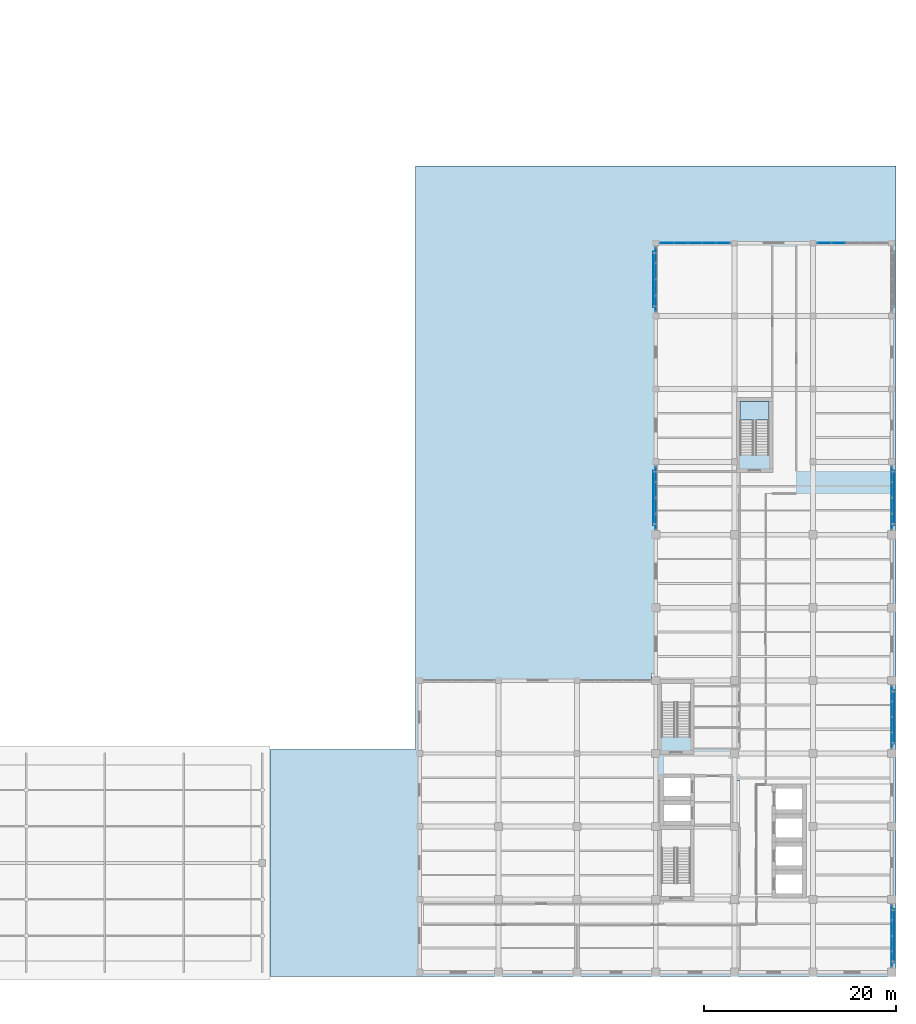
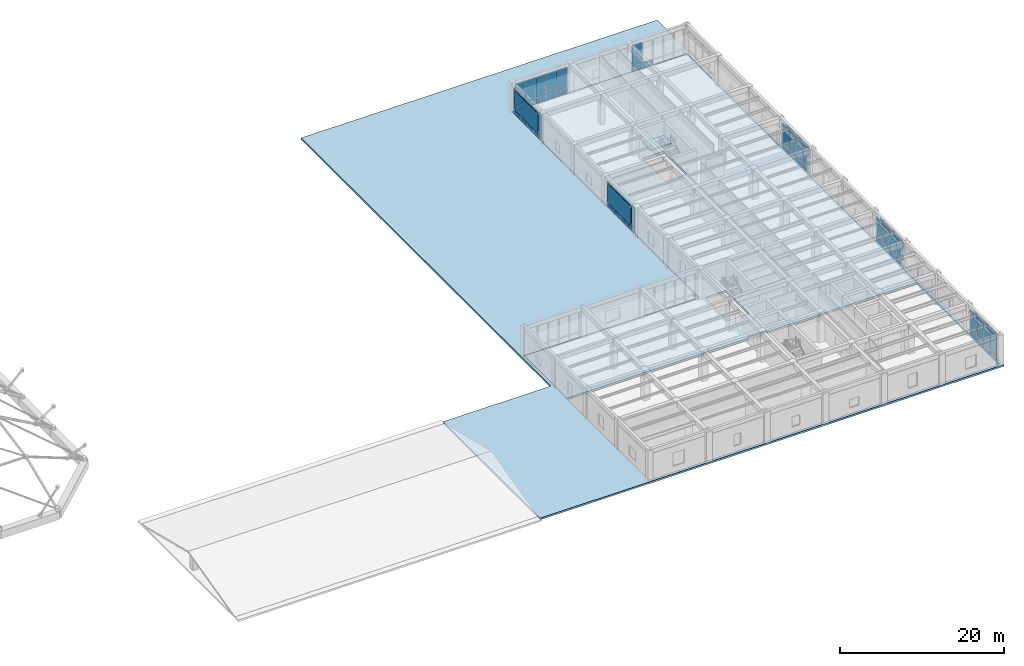
# One storey, part 12 of 23: 58 plates, 3 slabs, 8 elements without a shape of their own.
"""IFC4 building model written with IfcOpenShell, lengths in metres."""

from ifc_helpers import new_model, si_unit, direction, frame, origin, origin_2d, place, context, subcontext, project, spatial, polyline, rectangle, outline, extrude, material, layer, layer_set, type_object, element, aggregate, save


model = new_model("IFC4")

# Units and contexts
model_context = context("Model", 3, precision=1e-05, world=origin(), true_north=direction((0.0, 1.0)))
body_context = subcontext(model_context, "Body", "Model", "MODEL_VIEW")
ifc_project = project(units=[si_unit("LENGTHUNIT", "METRE"), si_unit("AREAUNIT", "SQUARE_METRE"), si_unit("VOLUMEUNIT", "CUBIC_METRE"), si_unit("PLANEANGLEUNIT", "RADIAN"), si_unit("MASSUNIT", "GRAM", prefix="KILO")], contexts=[model_context])

# Site, building, storey
site_placement = place(None, origin())
site = spatial("IfcSite", under=ifc_project, at=site_placement, CompositionType="ELEMENT")
building_placement = place(site_placement, origin())
building = spatial("IfcBuilding", under=site, at=building_placement, Name="Qandaris Square Conservatory and Botanical Centre", CompositionType="ELEMENT")
storey_placement = place(building_placement, frame((0.0, 0.0, 15.0)))
storey = spatial("IfcBuildingStorey", under=building, at=storey_placement, Name="L03", CompositionType="ELEMENT", Elevation=15.0)

# Curtain wall, plates
ifc_material_1 = material(Name="Anodised Aluminium", Category="aluminium")
curtain_wall_type_1 = type_object("IfcCurtainWallType", Name="Unitised Curtain Wall CW-4-655x394", PredefinedType="USERDEFINED", material=ifc_material_1)
curtain_wall_1_placement = place(storey_placement, origin())
curtain_wall_1 = element("IfcCurtainWall", 1, at=curtain_wall_1_placement, inside=storey, type_object=curtain_wall_type_1, Name="Curtain Wall CW-TWR-L03-2-1", ObjectType="GLAZED CURTAIN WALL", PredefinedType="USERDEFINED")
ifc_material_2 = material(Name="Tempered Low-E Glass", Category="glass")
ifc_layer_1 = layer(ifc_material_2, 0.035888671875)
ifc_layer_set_1 = layer_set([ifc_layer_1], Name="Tempered Low-E Glass")
plate_type_1 = type_object("IfcPlateType", Name="Double-Glazed Solar Control Vision Unit 36mm", PredefinedType="CURTAIN_PANEL", material=ifc_layer_set_1)
plate_1_placement = place(storey_placement, frame((163.800048828125, 17.9599609375, 0.06494140625), z_axis=(0.0, 0.0, 1.0), x_axis=(0.0, 1.0, 0.0)))
plate_1 = element("IfcPlate", 2, at=plate_1_placement, type_object=plate_type_1, Name="CW-4-655x394 panel 1.1", PredefinedType="CURTAIN_PANEL", context=body_context, shape_type="SweptSolid", body=[
    extrude(rectangle(XDim=1.5400390625, YDim=0.035888671875, at=origin_2d()), origin(), (0.0, 0.0, 1.0), 0.75244140625),
])
plate_2_placement = place(storey_placement, frame((163.800048828125, 17.9599609375, 0.882568359375), z_axis=(0.0, 0.0, 1.0), x_axis=(0.0, 1.0, 0.0)))
plate_2 = element("IfcPlate", 3, at=plate_2_placement, type_object=plate_type_1, Name="CW-4-655x394 panel 1.2", PredefinedType="CURTAIN_PANEL", context=body_context, shape_type="SweptSolid", body=[
    extrude(rectangle(XDim=1.5400390625, YDim=0.035888671875, at=origin_2d()), origin(), (0.0, 0.0, 1.0), 2.99755859375),
])
plate_3_placement = place(storey_placement, frame((163.800048828125, 19.581298828125, 0.06494140625), z_axis=(0.0, 0.0, 1.0), x_axis=(0.0, 1.0, 0.0)))
plate_3 = element("IfcPlate", 4, at=plate_3_placement, type_object=plate_type_1, Name="CW-4-655x394 panel 2.1", PredefinedType="CURTAIN_PANEL", context=body_context, shape_type="SweptSolid", body=[
    extrude(rectangle(XDim=1.572509765625, YDim=0.035888671875, at=origin_2d()), origin(), (0.0, 0.0, 1.0), 0.75244140625),
])
plate_4_placement = place(storey_placement, frame((163.800048828125, 19.581298828125, 0.882568359375), z_axis=(0.0, 0.0, 1.0), x_axis=(0.0, 1.0, 0.0)))
plate_4 = element("IfcPlate", 5, at=plate_4_placement, type_object=plate_type_1, Name="CW-4-655x394 panel 2.2", PredefinedType="CURTAIN_PANEL", context=body_context, shape_type="SweptSolid", body=[
    extrude(rectangle(XDim=1.572509765625, YDim=0.035888671875, at=origin_2d()), origin(), (0.0, 0.0, 1.0), 2.99755859375),
])
plate_5_placement = place(storey_placement, frame((163.800048828125, 21.21875, 0.06494140625), z_axis=(0.0, 0.0, 1.0), x_axis=(0.0, 1.0, 0.0)))
plate_5 = element("IfcPlate", 6, at=plate_5_placement, type_object=plate_type_1, Name="CW-4-655x394 panel 3.1", PredefinedType="CURTAIN_PANEL", context=body_context, shape_type="SweptSolid", body=[
    extrude(rectangle(XDim=1.572509765625, YDim=0.035888671875, at=origin_2d()), origin(), (0.0, 0.0, 1.0), 0.75244140625),
])
plate_6_placement = place(storey_placement, frame((163.800048828125, 21.21875, 0.882568359375), z_axis=(0.0, 0.0, 1.0), x_axis=(0.0, 1.0, 0.0)))
plate_6 = element("IfcPlate", 7, at=plate_6_placement, type_object=plate_type_1, Name="CW-4-655x394 panel 3.2", PredefinedType="CURTAIN_PANEL", context=body_context, shape_type="SweptSolid", body=[
    extrude(rectangle(XDim=1.572509765625, YDim=0.035888671875, at=origin_2d()), origin(), (0.0, 0.0, 1.0), 2.99755859375),
])
plate_7_placement = place(storey_placement, frame((163.800048828125, 22.840087890625, 0.06494140625), z_axis=(0.0, 0.0, 1.0), x_axis=(0.0, 1.0, 0.0)))
plate_7 = element("IfcPlate", 8, at=plate_7_placement, type_object=plate_type_1, Name="CW-4-655x394 panel 4.1", PredefinedType="CURTAIN_PANEL", context=body_context, shape_type="SweptSolid", body=[
    extrude(rectangle(XDim=1.5400390625, YDim=0.035888671875, at=origin_2d()), origin(), (0.0, 0.0, 1.0), 0.75244140625),
])
plate_8_placement = place(storey_placement, frame((163.800048828125, 22.840087890625, 0.882568359375), z_axis=(0.0, 0.0, 1.0), x_axis=(0.0, 1.0, 0.0)))
plate_8 = element("IfcPlate", 9, at=plate_8_placement, type_object=plate_type_1, Name="CW-4-655x394 panel 4.2", PredefinedType="CURTAIN_PANEL", context=body_context, shape_type="SweptSolid", body=[
    extrude(rectangle(XDim=1.5400390625, YDim=0.035888671875, at=origin_2d()), origin(), (0.0, 0.0, 1.0), 2.99755859375),
])
aggregate(curtain_wall_1, [plate_1, plate_2, plate_3, plate_4, plate_5, plate_6, plate_7, plate_8])

curtain_wall_2_placement = place(storey_placement, origin())
curtain_wall_2 = element("IfcCurtainWall", 10, at=curtain_wall_2_placement, inside=storey, type_object=curtain_wall_type_1, Name="Curtain Wall CW-TWR-L03-2-4", ObjectType="GLAZED CURTAIN WALL", PredefinedType="USERDEFINED")
plate_9_placement = place(storey_placement, frame((163.800048828125, 40.760009765625, 0.06494140625), z_axis=(0.0, 0.0, 1.0), x_axis=(0.0, 1.0, 0.0)))
plate_9 = element("IfcPlate", 11, at=plate_9_placement, type_object=plate_type_1, Name="CW-4-655x394 panel 1.1", PredefinedType="CURTAIN_PANEL", context=body_context, shape_type="SweptSolid", body=[
    extrude(rectangle(XDim=1.5400390625, YDim=0.035888671875, at=origin_2d()), origin(), (0.0, 0.0, 1.0), 0.75244140625),
])
plate_10_placement = place(storey_placement, frame((163.800048828125, 40.760009765625, 0.882568359375), z_axis=(0.0, 0.0, 1.0), x_axis=(0.0, 1.0, 0.0)))
plate_10 = element("IfcPlate", 12, at=plate_10_placement, type_object=plate_type_1, Name="CW-4-655x394 panel 1.2", PredefinedType="CURTAIN_PANEL", context=body_context, shape_type="SweptSolid", body=[
    extrude(rectangle(XDim=1.5400390625, YDim=0.035888671875, at=origin_2d()), origin(), (0.0, 0.0, 1.0), 2.99755859375),
])
plate_11_placement = place(storey_placement, frame((163.800048828125, 42.38134765625, 0.06494140625), z_axis=(0.0, 0.0, 1.0), x_axis=(0.0, 1.0, 0.0)))
plate_11 = element("IfcPlate", 13, at=plate_11_placement, type_object=plate_type_1, Name="CW-4-655x394 panel 2.1", PredefinedType="CURTAIN_PANEL", context=body_context, shape_type="SweptSolid", body=[
    extrude(rectangle(XDim=1.572509765625, YDim=0.035888671875, at=origin_2d()), origin(), (0.0, 0.0, 1.0), 0.75244140625),
])
plate_12_placement = place(storey_placement, frame((163.800048828125, 42.38134765625, 0.882568359375), z_axis=(0.0, 0.0, 1.0), x_axis=(0.0, 1.0, 0.0)))
plate_12 = element("IfcPlate", 14, at=plate_12_placement, type_object=plate_type_1, Name="CW-4-655x394 panel 2.2", PredefinedType="CURTAIN_PANEL", context=body_context, shape_type="SweptSolid", body=[
    extrude(rectangle(XDim=1.572509765625, YDim=0.035888671875, at=origin_2d()), origin(), (0.0, 0.0, 1.0), 2.99755859375),
])
plate_13_placement = place(storey_placement, frame((163.800048828125, 44.018798828125, 0.06494140625), z_axis=(0.0, 0.0, 1.0), x_axis=(0.0, 1.0, 0.0)))
plate_13 = element("IfcPlate", 15, at=plate_13_placement, type_object=plate_type_1, Name="CW-4-655x394 panel 3.1", PredefinedType="CURTAIN_PANEL", context=body_context, shape_type="SweptSolid", body=[
    extrude(rectangle(XDim=1.572509765625, YDim=0.035888671875, at=origin_2d()), origin(), (0.0, 0.0, 1.0), 0.75244140625),
])
plate_14_placement = place(storey_placement, frame((163.800048828125, 44.018798828125, 0.882568359375), z_axis=(0.0, 0.0, 1.0), x_axis=(0.0, 1.0, 0.0)))
plate_14 = element("IfcPlate", 16, at=plate_14_placement, type_object=plate_type_1, Name="CW-4-655x394 panel 3.2", PredefinedType="CURTAIN_PANEL", context=body_context, shape_type="SweptSolid", body=[
    extrude(rectangle(XDim=1.572509765625, YDim=0.035888671875, at=origin_2d()), origin(), (0.0, 0.0, 1.0), 2.99755859375),
])
plate_15_placement = place(storey_placement, frame((163.800048828125, 45.639892578125, 0.06494140625), z_axis=(0.0, 0.0, 1.0), x_axis=(0.0, 1.0, 0.0)))
plate_15 = element("IfcPlate", 17, at=plate_15_placement, type_object=plate_type_1, Name="CW-4-655x394 panel 4.1", PredefinedType="CURTAIN_PANEL", context=body_context, shape_type="SweptSolid", body=[
    extrude(rectangle(XDim=1.5400390625, YDim=0.035888671875, at=origin_2d()), origin(), (0.0, 0.0, 1.0), 0.75244140625),
])
plate_16_placement = place(storey_placement, frame((163.800048828125, 45.639892578125, 0.882568359375), z_axis=(0.0, 0.0, 1.0), x_axis=(0.0, 1.0, 0.0)))
plate_16 = element("IfcPlate", 18, at=plate_16_placement, type_object=plate_type_1, Name="CW-4-655x394 panel 4.2", PredefinedType="CURTAIN_PANEL", context=body_context, shape_type="SweptSolid", body=[
    extrude(rectangle(XDim=1.5400390625, YDim=0.035888671875, at=origin_2d()), origin(), (0.0, 0.0, 1.0), 2.99755859375),
])
aggregate(curtain_wall_2, [plate_9, plate_10, plate_11, plate_12, plate_13, plate_14, plate_15, plate_16])

curtain_wall_type_2 = type_object("IfcCurtainWallType", Name="Unitised Curtain Wall CW-4-665x394", PredefinedType="USERDEFINED", material=ifc_material_1)
curtain_wall_3_placement = place(storey_placement, origin())
curtain_wall_3 = element("IfcCurtainWall", 19, at=curtain_wall_3_placement, inside=storey, type_object=curtain_wall_type_2, Name="Curtain Wall CW-TWR-L03-2-7", ObjectType="GLAZED CURTAIN WALL", PredefinedType="USERDEFINED")
plate_17_placement = place(storey_placement, frame((163.800048828125, 63.572509765625, 0.06494140625), z_axis=(0.0, 0.0, 1.0), x_axis=(0.0, 1.0, 0.0)))
plate_17 = element("IfcPlate", 20, at=plate_17_placement, type_object=plate_type_1, Name="CW-4-665x394 panel 1.1", PredefinedType="CURTAIN_PANEL", context=body_context, shape_type="SweptSolid", body=[
    extrude(rectangle(XDim=1.56494140625, YDim=0.035888671875, at=origin_2d()), origin(), (0.0, 0.0, 1.0), 0.75244140625),
])
plate_18_placement = place(storey_placement, frame((163.800048828125, 63.572509765625, 0.882568359375), z_axis=(0.0, 0.0, 1.0), x_axis=(0.0, 1.0, 0.0)))
plate_18 = element("IfcPlate", 21, at=plate_18_placement, type_object=plate_type_1, Name="CW-4-665x394 panel 1.2", PredefinedType="CURTAIN_PANEL", context=body_context, shape_type="SweptSolid", body=[
    extrude(rectangle(XDim=1.56494140625, YDim=0.035888671875, at=origin_2d()), origin(), (0.0, 0.0, 1.0), 2.99755859375),
])
plate_19_placement = place(storey_placement, frame((163.800048828125, 65.21875, 0.06494140625), z_axis=(0.0, 0.0, 1.0), x_axis=(0.0, 1.0, 0.0)))
plate_19 = element("IfcPlate", 22, at=plate_19_placement, type_object=plate_type_1, Name="CW-4-665x394 panel 2.1", PredefinedType="CURTAIN_PANEL", context=body_context, shape_type="SweptSolid", body=[
    extrude(rectangle(XDim=1.597412109375, YDim=0.035888671875, at=origin_2d()), origin(), (0.0, 0.0, 1.0), 0.75244140625),
])
plate_20_placement = place(storey_placement, frame((163.800048828125, 65.21875, 0.882568359375), z_axis=(0.0, 0.0, 1.0), x_axis=(0.0, 1.0, 0.0)))
plate_20 = element("IfcPlate", 23, at=plate_20_placement, type_object=plate_type_1, Name="CW-4-665x394 panel 2.2", PredefinedType="CURTAIN_PANEL", context=body_context, shape_type="SweptSolid", body=[
    extrude(rectangle(XDim=1.597412109375, YDim=0.035888671875, at=origin_2d()), origin(), (0.0, 0.0, 1.0), 2.99755859375),
])
plate_21_placement = place(storey_placement, frame((163.800048828125, 66.88134765625, 0.06494140625), z_axis=(0.0, 0.0, 1.0), x_axis=(0.0, 1.0, 0.0)))
plate_21 = element("IfcPlate", 24, at=plate_21_placement, type_object=plate_type_1, Name="CW-4-665x394 panel 3.1", PredefinedType="CURTAIN_PANEL", context=body_context, shape_type="SweptSolid", body=[
    extrude(rectangle(XDim=1.597412109375, YDim=0.035888671875, at=origin_2d()), origin(), (0.0, 0.0, 1.0), 0.75244140625),
])
plate_22_placement = place(storey_placement, frame((163.800048828125, 66.88134765625, 0.882568359375), z_axis=(0.0, 0.0, 1.0), x_axis=(0.0, 1.0, 0.0)))
plate_22 = element("IfcPlate", 25, at=plate_22_placement, type_object=plate_type_1, Name="CW-4-665x394 panel 3.2", PredefinedType="CURTAIN_PANEL", context=body_context, shape_type="SweptSolid", body=[
    extrude(rectangle(XDim=1.597412109375, YDim=0.035888671875, at=origin_2d()), origin(), (0.0, 0.0, 1.0), 2.99755859375),
])
plate_23_placement = place(storey_placement, frame((163.800048828125, 68.527587890625, 0.06494140625), z_axis=(0.0, 0.0, 1.0), x_axis=(0.0, 1.0, 0.0)))
plate_23 = element("IfcPlate", 26, at=plate_23_placement, type_object=plate_type_1, Name="CW-4-665x394 panel 4.1", PredefinedType="CURTAIN_PANEL", context=body_context, shape_type="SweptSolid", body=[
    extrude(rectangle(XDim=1.56494140625, YDim=0.035888671875, at=origin_2d()), origin(), (0.0, 0.0, 1.0), 0.75244140625),
])
plate_24_placement = place(storey_placement, frame((163.800048828125, 68.527587890625, 0.882568359375), z_axis=(0.0, 0.0, 1.0), x_axis=(0.0, 1.0, 0.0)))
plate_24 = element("IfcPlate", 27, at=plate_24_placement, type_object=plate_type_1, Name="CW-4-665x394 panel 4.2", PredefinedType="CURTAIN_PANEL", context=body_context, shape_type="SweptSolid", body=[
    extrude(rectangle(XDim=1.56494140625, YDim=0.035888671875, at=origin_2d()), origin(), (0.0, 0.0, 1.0), 2.99755859375),
])
aggregate(curtain_wall_3, [plate_17, plate_18, plate_19, plate_20, plate_21, plate_22, plate_23, plate_24])

curtain_wall_type_3 = type_object("IfcCurtainWallType", Name="Unitised Curtain Wall CW-3-735x397", PredefinedType="USERDEFINED", material=ifc_material_1)
curtain_wall_4_placement = place(storey_placement, origin())
curtain_wall_4 = element("IfcCurtainWall", 28, at=curtain_wall_4_placement, inside=storey, type_object=curtain_wall_type_3, Name="Curtain Wall CW-TWR-L03-3-1", ObjectType="GLAZED CURTAIN WALL", PredefinedType="USERDEFINED")
plate_25_placement = place(storey_placement, frame((158.22998046875, 92.60009765625, 0.06494140625), z_axis=(0.0, 0.0, 1.0), x_axis=(-1.0, 0.0, 0.0)))
plate_25 = element("IfcPlate", 29, at=plate_25_placement, type_object=plate_type_1, Name="CW-3-735x397 panel 4.1", PredefinedType="CURTAIN_PANEL", context=body_context, shape_type="SweptSolid", body=[
    extrude(rectangle(XDim=1.405029296875, YDim=0.035888671875, at=origin_2d()), origin(), (0.0, 0.0, 1.0), 0.75244140625),
])
plate_26_placement = place(storey_placement, frame((156.7763671875, 92.60009765625, 0.06494140625), z_axis=(0.0, 0.0, 1.0), x_axis=(-1.0, 0.0, 0.0)))
plate_26 = element("IfcPlate", 30, at=plate_26_placement, type_object=plate_type_1, Name="CW-3-735x397 panel 5.1", PredefinedType="CURTAIN_PANEL", context=body_context, shape_type="SweptSolid", body=[
    extrude(rectangle(XDim=1.37255859375, YDim=0.035888671875, at=origin_2d()), origin(), (0.0, 0.0, 1.0), 0.75244140625),
])
plate_27_placement = place(storey_placement, frame((156.7763671875, 92.60009765625, 0.882568359375), z_axis=(0.0, 0.0, 1.0), x_axis=(-1.0, 0.0, 0.0)))
plate_27 = element("IfcPlate", 31, at=plate_27_placement, type_object=plate_type_1, Name="CW-3-735x397 panel 5.2", PredefinedType="CURTAIN_PANEL", context=body_context, shape_type="SweptSolid", body=[
    extrude(rectangle(XDim=1.37255859375, YDim=0.035888671875, at=origin_2d()), origin(), (0.0, 0.0, 1.0), 3.0224609375),
])
aggregate(curtain_wall_4, [plate_25, plate_26, plate_27])

curtain_wall_5_placement = place(storey_placement, origin())
curtain_wall_5 = element("IfcCurtainWall", 32, at=curtain_wall_5_placement, inside=storey, type_object=curtain_wall_type_3, Name="Curtain Wall CW-TWR-L03-3-3", ObjectType="GLAZED CURTAIN WALL", PredefinedType="USERDEFINED")
plate_28_placement = place(storey_placement, frame((146.2236328125, 92.60009765625, 0.06494140625), z_axis=(0.0, 0.0, 1.0), x_axis=(-1.0, 0.0, 0.0)))
plate_28 = element("IfcPlate", 33, at=plate_28_placement, type_object=plate_type_1, Name="CW-3-735x397 panel 1.1", PredefinedType="CURTAIN_PANEL", context=body_context, shape_type="SweptSolid", body=[
    extrude(rectangle(XDim=1.37255859375, YDim=0.035888671875, at=origin_2d()), origin(), (0.0, 0.0, 1.0), 0.75244140625),
])
plate_29_placement = place(storey_placement, frame((146.2236328125, 92.60009765625, 0.882568359375), z_axis=(0.0, 0.0, 1.0), x_axis=(-1.0, 0.0, 0.0)))
plate_29 = element("IfcPlate", 34, at=plate_29_placement, type_object=plate_type_1, Name="CW-3-735x397 panel 1.2", PredefinedType="CURTAIN_PANEL", context=body_context, shape_type="SweptSolid", body=[
    extrude(rectangle(XDim=1.37255859375, YDim=0.035888671875, at=origin_2d()), origin(), (0.0, 0.0, 1.0), 3.0224609375),
])
plate_30_placement = place(storey_placement, frame((144.77001953125, 92.60009765625, 0.06494140625), z_axis=(0.0, 0.0, 1.0), x_axis=(-1.0, 0.0, 0.0)))
plate_30 = element("IfcPlate", 35, at=plate_30_placement, type_object=plate_type_1, Name="CW-3-735x397 panel 2.1", PredefinedType="CURTAIN_PANEL", context=body_context, shape_type="SweptSolid", body=[
    extrude(rectangle(XDim=1.405029296875, YDim=0.035888671875, at=origin_2d()), origin(), (0.0, 0.0, 1.0), 0.75244140625),
])
plate_31_placement = place(storey_placement, frame((144.77001953125, 92.60009765625, 0.882568359375), z_axis=(0.0, 0.0, 1.0), x_axis=(-1.0, 0.0, 0.0)))
plate_31 = element("IfcPlate", 36, at=plate_31_placement, type_object=plate_type_1, Name="CW-3-735x397 panel 2.2", PredefinedType="CURTAIN_PANEL", context=body_context, shape_type="SweptSolid", body=[
    extrude(rectangle(XDim=1.405029296875, YDim=0.035888671875, at=origin_2d()), origin(), (0.0, 0.0, 1.0), 3.0224609375),
])
plate_32_placement = place(storey_placement, frame((143.300048828125, 92.60009765625, 0.06494140625), z_axis=(0.0, 0.0, 1.0), x_axis=(-1.0, 0.0, 0.0)))
plate_32 = element("IfcPlate", 37, at=plate_32_placement, type_object=plate_type_1, Name="CW-3-735x397 panel 3.1", PredefinedType="CURTAIN_PANEL", context=body_context, shape_type="SweptSolid", body=[
    extrude(rectangle(XDim=1.405029296875, YDim=0.035888671875, at=origin_2d()), origin(), (0.0, 0.0, 1.0), 0.75244140625),
])
plate_33_placement = place(storey_placement, frame((143.300048828125, 92.60009765625, 0.882568359375), z_axis=(0.0, 0.0, 1.0), x_axis=(-1.0, 0.0, 0.0)))
plate_33 = element("IfcPlate", 38, at=plate_33_placement, type_object=plate_type_1, Name="CW-3-735x397 panel 3.2", PredefinedType="CURTAIN_PANEL", context=body_context, shape_type="SweptSolid", body=[
    extrude(rectangle(XDim=1.405029296875, YDim=0.035888671875, at=origin_2d()), origin(), (0.0, 0.0, 1.0), 3.0224609375),
])
plate_34_placement = place(storey_placement, frame((141.830078125, 92.60009765625, 0.06494140625), z_axis=(0.0, 0.0, 1.0), x_axis=(-1.0, 0.0, 0.0)))
plate_34 = element("IfcPlate", 39, at=plate_34_placement, type_object=plate_type_1, Name="CW-3-735x397 panel 4.1", PredefinedType="CURTAIN_PANEL", context=body_context, shape_type="SweptSolid", body=[
    extrude(rectangle(XDim=1.405029296875, YDim=0.035888671875, at=origin_2d()), origin(), (0.0, 0.0, 1.0), 0.75244140625),
])
plate_35_placement = place(storey_placement, frame((141.830078125, 92.60009765625, 0.882568359375), z_axis=(0.0, 0.0, 1.0), x_axis=(-1.0, 0.0, 0.0)))
plate_35 = element("IfcPlate", 40, at=plate_35_placement, type_object=plate_type_1, Name="CW-3-735x397 panel 4.2", PredefinedType="CURTAIN_PANEL", context=body_context, shape_type="SweptSolid", body=[
    extrude(rectangle(XDim=1.405029296875, YDim=0.035888671875, at=origin_2d()), origin(), (0.0, 0.0, 1.0), 3.0224609375),
])
plate_36_placement = place(storey_placement, frame((140.376220703125, 92.60009765625, 0.06494140625), z_axis=(0.0, 0.0, 1.0), x_axis=(-1.0, 0.0, 0.0)))
plate_36 = element("IfcPlate", 41, at=plate_36_placement, type_object=plate_type_1, Name="CW-3-735x397 panel 5.1", PredefinedType="CURTAIN_PANEL", context=body_context, shape_type="SweptSolid", body=[
    extrude(rectangle(XDim=1.37255859375, YDim=0.035888671875, at=origin_2d()), origin(), (0.0, 0.0, 1.0), 0.75244140625),
])
plate_37_placement = place(storey_placement, frame((140.376220703125, 92.60009765625, 0.882568359375), z_axis=(0.0, 0.0, 1.0), x_axis=(-1.0, 0.0, 0.0)))
plate_37 = element("IfcPlate", 42, at=plate_37_placement, type_object=plate_type_1, Name="CW-3-735x397 panel 5.2", PredefinedType="CURTAIN_PANEL", context=body_context, shape_type="SweptSolid", body=[
    extrude(rectangle(XDim=1.37255859375, YDim=0.035888671875, at=origin_2d()), origin(), (0.0, 0.0, 1.0), 3.0224609375),
])
aggregate(curtain_wall_5, [plate_28, plate_29, plate_30, plate_31, plate_32, plate_33, plate_34, plate_35, plate_36, plate_37])

curtain_wall_type_4 = type_object("IfcCurtainWallType", Name="Unitised Curtain Wall CW-4-675x397", PredefinedType="USERDEFINED", material=ifc_material_1)
curtain_wall_6_placement = place(storey_placement, origin())
curtain_wall_6 = element("IfcCurtainWall", 43, at=curtain_wall_6_placement, inside=storey, type_object=curtain_wall_type_4, Name="Curtain Wall CW-TWR-L03-4-1", ObjectType="GLAZED CURTAIN WALL", PredefinedType="USERDEFINED")
plate_38_placement = place(storey_placement, frame((139.199951171875, 91.31494140625, 0.06494140625), z_axis=(0.0, 0.0, 1.0), x_axis=(0.0, -1.0, 0.0)))
plate_38 = element("IfcPlate", 44, at=plate_38_placement, type_object=plate_type_1, Name="CW-4-675x397 panel 1.1", PredefinedType="CURTAIN_PANEL", context=body_context, shape_type="SweptSolid", body=[
    extrude(rectangle(XDim=1.590087890625, YDim=0.035888671875, at=origin_2d()), origin(), (0.0, 0.0, 1.0), 0.75244140625),
])
plate_39_placement = place(storey_placement, frame((139.199951171875, 91.31494140625, 0.882568359375), z_axis=(0.0, 0.0, 1.0), x_axis=(0.0, -1.0, 0.0)))
plate_39 = element("IfcPlate", 45, at=plate_39_placement, type_object=plate_type_1, Name="CW-4-675x397 panel 1.2", PredefinedType="CURTAIN_PANEL", context=body_context, shape_type="SweptSolid", body=[
    extrude(rectangle(XDim=1.590087890625, YDim=0.035888671875, at=origin_2d()), origin(), (0.0, 0.0, 1.0), 3.0224609375),
])
plate_40_placement = place(storey_placement, frame((139.199951171875, 89.643798828125, 0.06494140625), z_axis=(0.0, 0.0, 1.0), x_axis=(0.0, -1.0, 0.0)))
plate_40 = element("IfcPlate", 46, at=plate_40_placement, type_object=plate_type_1, Name="CW-4-675x397 panel 2.1", PredefinedType="CURTAIN_PANEL", context=body_context, shape_type="SweptSolid", body=[
    extrude(rectangle(XDim=1.62255859375, YDim=0.035888671875, at=origin_2d()), origin(), (0.0, 0.0, 1.0), 0.75244140625),
])
plate_41_placement = place(storey_placement, frame((139.199951171875, 89.643798828125, 0.882568359375), z_axis=(0.0, 0.0, 1.0), x_axis=(0.0, -1.0, 0.0)))
plate_41 = element("IfcPlate", 47, at=plate_41_placement, type_object=plate_type_1, Name="CW-4-675x397 panel 2.2", PredefinedType="CURTAIN_PANEL", context=body_context, shape_type="SweptSolid", body=[
    extrude(rectangle(XDim=1.62255859375, YDim=0.035888671875, at=origin_2d()), origin(), (0.0, 0.0, 1.0), 3.0224609375),
])
plate_42_placement = place(storey_placement, frame((139.199951171875, 87.956298828125, 0.06494140625), z_axis=(0.0, 0.0, 1.0), x_axis=(0.0, -1.0, 0.0)))
plate_42 = element("IfcPlate", 48, at=plate_42_placement, type_object=plate_type_1, Name="CW-4-675x397 panel 3.1", PredefinedType="CURTAIN_PANEL", context=body_context, shape_type="SweptSolid", body=[
    extrude(rectangle(XDim=1.62255859375, YDim=0.035888671875, at=origin_2d()), origin(), (0.0, 0.0, 1.0), 0.75244140625),
])
plate_43_placement = place(storey_placement, frame((139.199951171875, 87.956298828125, 0.882568359375), z_axis=(0.0, 0.0, 1.0), x_axis=(0.0, -1.0, 0.0)))
plate_43 = element("IfcPlate", 49, at=plate_43_placement, type_object=plate_type_1, Name="CW-4-675x397 panel 3.2", PredefinedType="CURTAIN_PANEL", context=body_context, shape_type="SweptSolid", body=[
    extrude(rectangle(XDim=1.62255859375, YDim=0.035888671875, at=origin_2d()), origin(), (0.0, 0.0, 1.0), 3.0224609375),
])
plate_44_placement = place(storey_placement, frame((139.199951171875, 86.284912109375, 0.06494140625), z_axis=(0.0, 0.0, 1.0), x_axis=(0.0, -1.0, 0.0)))
plate_44 = element("IfcPlate", 50, at=plate_44_placement, type_object=plate_type_1, Name="CW-4-675x397 panel 4.1", PredefinedType="CURTAIN_PANEL", context=body_context, shape_type="SweptSolid", body=[
    extrude(rectangle(XDim=1.590087890625, YDim=0.035888671875, at=origin_2d()), origin(), (0.0, 0.0, 1.0), 0.75244140625),
])
plate_45_placement = place(storey_placement, frame((139.199951171875, 86.284912109375, 0.882568359375), z_axis=(0.0, 0.0, 1.0), x_axis=(0.0, -1.0, 0.0)))
plate_45 = element("IfcPlate", 51, at=plate_45_placement, type_object=plate_type_1, Name="CW-4-675x397 panel 4.2", PredefinedType="CURTAIN_PANEL", context=body_context, shape_type="SweptSolid", body=[
    extrude(rectangle(XDim=1.590087890625, YDim=0.035888671875, at=origin_2d()), origin(), (0.0, 0.0, 1.0), 3.0224609375),
])
aggregate(curtain_wall_6, [plate_38, plate_39, plate_40, plate_41, plate_42, plate_43, plate_44, plate_45])

curtain_wall_type_5 = type_object("IfcCurtainWallType", Name="Unitised Curtain Wall CW-4-665x388", PredefinedType="USERDEFINED", material=ifc_material_1)
curtain_wall_7_placement = place(storey_placement, origin())
curtain_wall_7 = element("IfcCurtainWall", 52, at=curtain_wall_7_placement, inside=storey, type_object=curtain_wall_type_5, Name="Curtain Wall CW-TWR-L03-4-4", ObjectType="GLAZED CURTAIN WALL", PredefinedType="USERDEFINED")
plate_46_placement = place(storey_placement, frame((139.199951171875, 68.527587890625, 0.06494140625), z_axis=(0.0, 0.0, 1.0), x_axis=(0.0, -1.0, 0.0)))
plate_46 = element("IfcPlate", 53, at=plate_46_placement, type_object=plate_type_1, Name="CW-4-665x388 panel 1.1", PredefinedType="CURTAIN_PANEL", context=body_context, shape_type="SweptSolid", body=[
    extrude(rectangle(XDim=1.56494140625, YDim=0.035888671875, at=origin_2d()), origin(), (0.0, 0.0, 1.0), 0.75244140625),
])
plate_47_placement = place(storey_placement, frame((139.199951171875, 68.527587890625, 0.88232421875), z_axis=(0.0, 0.0, 1.0), x_axis=(0.0, -1.0, 0.0)))
plate_47 = element("IfcPlate", 54, at=plate_47_placement, type_object=plate_type_1, Name="CW-4-665x388 panel 1.2", PredefinedType="CURTAIN_PANEL", context=body_context, shape_type="SweptSolid", body=[
    extrude(rectangle(XDim=1.56494140625, YDim=0.035888671875, at=origin_2d()), origin(), (0.0, 0.0, 1.0), 2.9326171875),
])
plate_48_placement = place(storey_placement, frame((139.199951171875, 66.88134765625, 0.06494140625), z_axis=(0.0, 0.0, 1.0), x_axis=(0.0, -1.0, 0.0)))
plate_48 = element("IfcPlate", 55, at=plate_48_placement, type_object=plate_type_1, Name="CW-4-665x388 panel 2.1", PredefinedType="CURTAIN_PANEL", context=body_context, shape_type="SweptSolid", body=[
    extrude(rectangle(XDim=1.597412109375, YDim=0.035888671875, at=origin_2d()), origin(), (0.0, 0.0, 1.0), 0.75244140625),
])
plate_49_placement = place(storey_placement, frame((139.199951171875, 66.88134765625, 0.88232421875), z_axis=(0.0, 0.0, 1.0), x_axis=(0.0, -1.0, 0.0)))
plate_49 = element("IfcPlate", 56, at=plate_49_placement, type_object=plate_type_1, Name="CW-4-665x388 panel 2.2", PredefinedType="CURTAIN_PANEL", context=body_context, shape_type="SweptSolid", body=[
    extrude(rectangle(XDim=1.597412109375, YDim=0.035888671875, at=origin_2d()), origin(), (0.0, 0.0, 1.0), 2.9326171875),
])
plate_50_placement = place(storey_placement, frame((139.199951171875, 65.21875, 0.06494140625), z_axis=(0.0, 0.0, 1.0), x_axis=(0.0, -1.0, 0.0)))
plate_50 = element("IfcPlate", 57, at=plate_50_placement, type_object=plate_type_1, Name="CW-4-665x388 panel 3.1", PredefinedType="CURTAIN_PANEL", context=body_context, shape_type="SweptSolid", body=[
    extrude(rectangle(XDim=1.597412109375, YDim=0.035888671875, at=origin_2d()), origin(), (0.0, 0.0, 1.0), 0.75244140625),
])
plate_51_placement = place(storey_placement, frame((139.199951171875, 65.21875, 0.88232421875), z_axis=(0.0, 0.0, 1.0), x_axis=(0.0, -1.0, 0.0)))
plate_51 = element("IfcPlate", 58, at=plate_51_placement, type_object=plate_type_1, Name="CW-4-665x388 panel 3.2", PredefinedType="CURTAIN_PANEL", context=body_context, shape_type="SweptSolid", body=[
    extrude(rectangle(XDim=1.597412109375, YDim=0.035888671875, at=origin_2d()), origin(), (0.0, 0.0, 1.0), 2.9326171875),
])
plate_52_placement = place(storey_placement, frame((139.199951171875, 63.572509765625, 0.06494140625), z_axis=(0.0, 0.0, 1.0), x_axis=(0.0, -1.0, 0.0)))
plate_52 = element("IfcPlate", 59, at=plate_52_placement, type_object=plate_type_1, Name="CW-4-665x388 panel 4.1", PredefinedType="CURTAIN_PANEL", context=body_context, shape_type="SweptSolid", body=[
    extrude(rectangle(XDim=1.56494140625, YDim=0.035888671875, at=origin_2d()), origin(), (0.0, 0.0, 1.0), 0.75244140625),
])
plate_53_placement = place(storey_placement, frame((139.199951171875, 63.572509765625, 0.88232421875), z_axis=(0.0, 0.0, 1.0), x_axis=(0.0, -1.0, 0.0)))
plate_53 = element("IfcPlate", 60, at=plate_53_placement, type_object=plate_type_1, Name="CW-4-665x388 panel 4.2", PredefinedType="CURTAIN_PANEL", context=body_context, shape_type="SweptSolid", body=[
    extrude(rectangle(XDim=1.56494140625, YDim=0.035888671875, at=origin_2d()), origin(), (0.0, 0.0, 1.0), 2.9326171875),
])
aggregate(curtain_wall_7, [plate_46, plate_47, plate_48, plate_49, plate_50, plate_51, plate_52, plate_53])

# Plates
ifc_material_3 = material(Name="Weathering Bronze Alloy", Category="metal")
ifc_layer_2 = layer(ifc_material_3, 0.044921875)
ifc_layer_set_2 = layer_set([ifc_layer_2], Name="Weathering Bronze Alloy")
plate_type_2 = type_object("IfcPlateType", Name="Perforated Bronze Mashrabiya Solar Screen Panel", PredefinedType="USERDEFINED", material=ifc_layer_set_2)
for number, where, z_axis, x_axis, name in (
    (61, (164.02001953125, 20.39990234375, 0.8798828125), (0.0, 0.0, 1.0), (0.0, 1.0, 0.0), "Mashrabiya Solar Screen CW-TWR-L03-2-1"),
    (62, (164.02001953125, 43.199951171875, 0.8798828125), (0.0, 0.0, 1.0), (0.0, 1.0, 0.0), "Mashrabiya Solar Screen CW-TWR-L03-2-4"),
):
    element("IfcPlate", number, at=place(storey_placement, frame(where, z_axis=z_axis, x_axis=x_axis)), inside=storey, type_object=plate_type_2, Name=name, ObjectType="SOLAR SCREEN", PredefinedType="USERDEFINED", context=body_context, shape_type="SweptSolid", body=[
        extrude(rectangle(XDim=5.590087890625, YDim=0.044921875, at=origin_2d()), origin(), (0.0, 0.0, 1.0), 2.97509765625),
    ])
plate_54_placement = place(storey_placement, frame((164.02001953125, 66.050048828125, 0.8798828125), z_axis=(0.0, 0.0, 1.0), x_axis=(0.0, 1.0, 0.0)))
element("IfcPlate", 63, at=plate_54_placement, inside=storey, type_object=plate_type_2, Name="Mashrabiya Solar Screen CW-TWR-L03-2-7", ObjectType="SOLAR SCREEN", PredefinedType="USERDEFINED", context=body_context, shape_type="SweptSolid", body=[
    extrude(rectangle(XDim=5.68994140625, YDim=0.044921875, at=origin_2d()), origin(), (0.0, 0.0, 1.0), 2.97509765625),
])
plate_55_placement = place(storey_placement, frame((138.97998046875, 88.800048828125, 0.8798828125), z_axis=(0.0, 0.0, 1.0), x_axis=(0.0, -1.0, 0.0)))
element("IfcPlate", 64, at=plate_55_placement, inside=storey, type_object=plate_type_2, Name="Mashrabiya Solar Screen CW-TWR-L03-4-1", ObjectType="SOLAR SCREEN", PredefinedType="USERDEFINED", context=body_context, shape_type="SweptSolid", body=[
    extrude(rectangle(XDim=5.7900390625, YDim=0.044921875, at=origin_2d()), origin(), (0.0, 0.0, 1.0), 3.0),
])
plate_56_placement = place(storey_placement, frame((138.97998046875, 66.050048828125, 0.8798828125), z_axis=(0.0, 0.0, 1.0), x_axis=(0.0, -1.0, 0.0)))
element("IfcPlate", 65, at=plate_56_placement, inside=storey, type_object=plate_type_2, Name="Mashrabiya Solar Screen CW-TWR-L03-4-4", ObjectType="SOLAR SCREEN", PredefinedType="USERDEFINED", context=body_context, shape_type="SweptSolid", body=[
    extrude(rectangle(XDim=5.68994140625, YDim=0.044921875, at=origin_2d()), origin(), (0.0, 0.0, 1.0), 2.909912109375),
])

# Slab
ifc_material_4 = material(Name="Concrete C40/50", Category="concrete")
ifc_layer_3 = layer(ifc_material_4, 0.2548828125)
ifc_layer_set_3 = layer_set([ifc_layer_3], Name="Concrete C40/50")
slab_type_1 = type_object("IfcSlabType", Name="RC Flat Roof Slab 255mm", PredefinedType="ROOF", material=ifc_layer_set_3)
slab_1_placement = place(storey_placement, frame((0.0, 0.0, -0.2548828125)))
element("IfcSlab", 66, at=slab_1_placement, inside=storey, type_object=slab_type_1, Name="Step-Back Flat Roof Slab L03-1", PredefinedType="ROOF", context=body_context, shape_type="SweptSolid", body=[
    extrude(outline(polyline([(114.179931640625, 100.6201171875), (164.219970703125, 100.6201171875), (164.219970703125, 16.179931640625), (99.02001953125, 16.179931640625), (99.02001953125, 39.820068359375), (114.179931640625, 39.820068359375), (114.179931640625, 100.6201171875)]), holes=[polyline([(114.580078125, 16.580078125), (163.820068359375, 16.580078125), (163.820068359375, 92.6201171875), (139.179931640625, 92.6201171875), (139.179931640625, 47.75), (138.75, 47.75), (138.75, 47.02001953125), (114.580078125, 47.02001953125), (114.580078125, 16.580078125)])]), origin(), (0.0, 0.0, 1.0), 0.2548828125),
])

# Stair, slab
stair_type = type_object("IfcStairType", Name="Core Escape Scissor Stair", PredefinedType="HALF_TURN_STAIR", material=ifc_material_4)
stair_placement = place(storey_placement, origin())
stair = element("IfcStair", 67, at=stair_placement, inside=storey, type_object=stair_type, Name="L03 Herbarium North Exit Stair ST-3", PredefinedType="HALF_TURN_STAIR")
ifc_layer_4 = layer(ifc_material_4, 0.219970703125)
ifc_layer_set_4 = layer_set([ifc_layer_4], Name="Concrete C40/50")
slab_type_2 = type_object("IfcSlabType", Name="RC Stair Half-Landing Slab 220mm", PredefinedType="LANDING", material=ifc_layer_set_4)
slab_2_placement = place(storey_placement, frame((0.0, 0.0, 2.199951171875)))
slab_2 = element("IfcSlab", 68, at=slab_2_placement, type_object=slab_type_2, Name="ST-3 landing 1", PredefinedType="LANDING", context=body_context, shape_type="SweptSolid", body=[
    extrude(outline(polyline([(151.0, 74.139892578125), (151.0, 76.10009765625), (148.0, 76.10009765625), (148.0, 74.139892578125), (151.0, 74.139892578125)])), origin(), (0.0, 0.0, 1.0), 0.199951171875),
])
aggregate(stair, [slab_2])

# Slab
ifc_layer_5 = layer(ifc_material_4, 0.2900390625)
ifc_layer_set_5 = layer_set([ifc_layer_5], Name="Concrete C40/50")
slab_type_3 = type_object("IfcSlabType", Name="RC Structural Slab 290mm", PredefinedType="FLOOR", material=ifc_layer_set_5)
slab_3_placement = place(storey_placement, frame((0.0, 0.0, -0.2900390625)))
element("IfcSlab", 69, at=slab_3_placement, inside=storey, type_object=slab_type_3, Name="L03 Structural Slab V4L03", PredefinedType="FLOOR", context=body_context, shape_type="SweptSolid", body=[
    extrude(outline(polyline([(139.199951171875, 47.0), (139.199951171875, 92.60009765625), (163.800048828125, 92.60009765625), (163.800048828125, 36.60009765625), (142.800048828125, 36.60009765625), (142.800048828125, 36.840087890625), (140.06005859375, 36.840087890625), (140.06005859375, 36.60009765625), (114.60009765625, 36.60009765625), (114.60009765625, 47.0), (139.199951171875, 47.0)]), holes=[polyline([(139.800048828125, 46.699951171875), (139.800048828125, 41.10009765625), (142.800048828125, 41.10009765625), (142.800048828125, 46.699951171875), (139.800048828125, 46.699951171875)]), polyline([(148.0, 76.10009765625), (148.0, 70.5), (151.0, 70.5), (151.0, 76.10009765625), (148.0, 76.10009765625)])]), origin(), (0.0, 0.0, 1.0), 0.2900390625),
])

save(model, "model.ifc")
